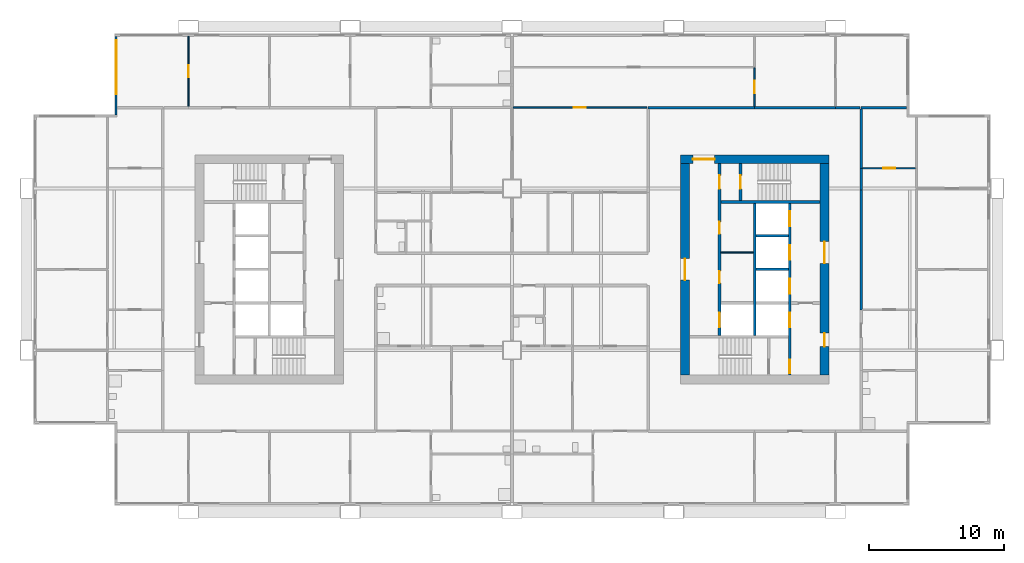
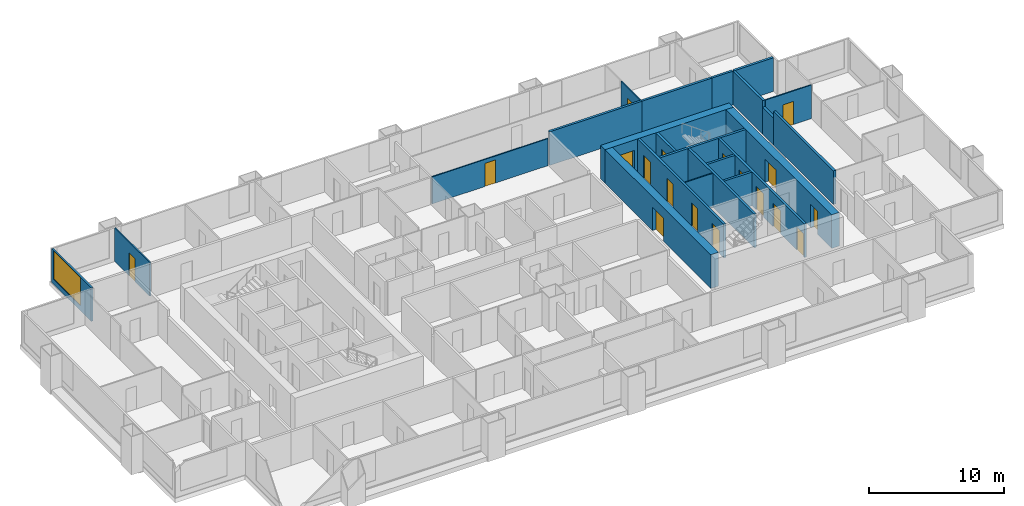
# One storey, part 7 of 11: 23 walls, 18 doors, 1 window, 19 openings.
"""IFC4 building model written with IfcOpenShell, lengths in metres."""

from ifc_helpers import new_model, si_unit, direction, frame, frame_2d, origin, place, context, subcontext, project, spatial, rectangle, extrude, material, layer, layer_set, type_object, element, fill, save


model = new_model("IFC4")

# Units and contexts
model_context = context("Model", 3, precision=1e-05, world=origin(), true_north=direction((0.0, 1.0)))
body_context = subcontext(model_context, "Body", "Model", "MODEL_VIEW")
ifc_project = project(units=[si_unit("LENGTHUNIT", "METRE"), si_unit("AREAUNIT", "SQUARE_METRE"), si_unit("VOLUMEUNIT", "CUBIC_METRE"), si_unit("PLANEANGLEUNIT", "RADIAN"), si_unit("MASSUNIT", "GRAM", prefix="KILO")], contexts=[model_context])

# Site, building, storey
site_placement = place(None, origin())
site = spatial("IfcSite", under=ifc_project, at=site_placement, CompositionType="ELEMENT")
building_placement = place(site_placement, origin())
building = spatial("IfcBuilding", under=site, at=building_placement, Name="Kitamizu Gate Tower and Museum", CompositionType="ELEMENT")
storey_placement = place(building_placement, frame((0.0, 0.0, 100.050048828125)))
storey = spatial("IfcBuildingStorey", under=building, at=storey_placement, Name="L25", CompositionType="ELEMENT", Elevation=100.050048828125)

# Wall, opening, door
ifc_material_1 = material(Name="Concrete Fc60", Category="concrete")
ifc_layer_1 = layer(ifc_material_1, 0.64990234375)
ifc_layer_set_1 = layer_set([ifc_layer_1], Name="Concrete Fc60")
wall_type_1 = type_object("IfcWallType", Name="Core wall 650", PredefinedType="SHEAR", material=ifc_layer_set_1)
wall_1_placement = place(storey_placement, frame((59.5, 38.175048828125, 0.0), z_axis=(0.0, 0.0, 1.0), x_axis=(-1.0, 0.0, 0.0)))
wall_1 = element("IfcWall", 1, at=wall_1_placement, inside=storey, type_object=wall_type_1, Name="Core wall EN", PredefinedType="SHEAR", context=body_context, shape_type="SweptSolid", body=[
    extrude(rectangle(XDim=11.0, YDim=0.64990234375, at=frame_2d((5.5, 0.0))), origin(), (0.0, 0.0, 1.0), 3.050048828125),
])
opening_1_placement = place(wall_1_placement, frame((8.47509765625, 0.0, 0.0)))
opening_1 = element("IfcOpeningElement", 2, at=opening_1_placement, cuts=wall_1, Name="Opening L25-074", PredefinedType="OPENING", context=body_context, shape_type="SweptSolid", body=[
    extrude(rectangle(XDim=1.60009765625, YDim=2.10009765625, at=frame_2d((0.800048828125, 1.050048828125))), frame((0.0, 0.3349609375, 0.0), z_axis=(0.0, -1.0, 0.0), x_axis=(1.0, 0.0, 0.0)), (0.0, 0.0, 1.0), 0.669921875),
])
ifc_material_2 = material(Name="Timber door set", Category="wood")
door_type_1 = type_object("IfcDoorType", Name="Entrance door 1600", OperationType="DOUBLE_DOOR_SINGLE_SWING", PredefinedType="DOOR", material=ifc_material_2)
door_1_placement = place(opening_1_placement, origin())
door_1 = element("IfcDoor", 3, at=door_1_placement, inside=storey, type_object=door_type_1, Name="Lobby door L25-074", OperationType="DOUBLE_DOOR_SINGLE_SWING", OverallHeight=2.10009765625, OverallWidth=1.60009765625, PredefinedType="DOOR", context=body_context, shape_type="SweptSolid", body=[
    extrude(rectangle(XDim=1.60009765625, YDim=2.10009765625, at=frame_2d((0.800048828125, 1.050048828125))), frame((0.0, 0.02490234375, 0.0), z_axis=(0.0, -1.0, 0.0), x_axis=(1.0, 0.0, 0.0)), (0.0, 0.0, 1.0), 0.050048828125),
])
fill(opening_1, door_1)

# Wall, openings, doors
wall_2_placement = place(storey_placement, frame((59.175048828125, 22.14990234375, 0.0), z_axis=(0.0, 0.0, 1.0), x_axis=(0.0, 1.0, 0.0)))
wall_2 = element("IfcWall", 4, at=wall_2_placement, inside=storey, type_object=wall_type_1, Name="Core wall EOUT", PredefinedType="SHEAR", context=body_context, shape_type="SweptSolid", body=[
    extrude(rectangle(XDim=15.7001953125, YDim=0.64990234375, at=frame_2d((7.85009765625, 0.0))), origin(), (0.0, 0.0, 1.0), 3.050048828125),
])
opening_2_placement = place(wall_2_placement, frame((8.300048828125, 0.0, 0.0)))
opening_2 = element("IfcOpeningElement", 5, at=opening_2_placement, cuts=wall_2, Name="Opening L25-072", PredefinedType="OPENING", context=body_context, shape_type="SweptSolid", body=[
    extrude(rectangle(XDim=1.60009765625, YDim=2.10009765625, at=frame_2d((0.800048828125, 1.050048828125))), frame((0.0, 0.3349609375, 0.0), z_axis=(0.0, -1.0, 0.0), x_axis=(1.0, 0.0, 0.0)), (0.0, 0.0, 1.0), 0.669921875),
])
opening_3_placement = place(wall_2_placement, frame((2.125, 0.0, 0.0)))
opening_3 = element("IfcOpeningElement", 6, at=opening_3_placement, cuts=wall_2, Name="Opening L25-073", PredefinedType="OPENING", context=body_context, shape_type="SweptSolid", body=[
    extrude(rectangle(XDim=1.0, YDim=2.10009765625, at=frame_2d((0.5, 1.050048828125))), frame((0.0, 0.3349609375, 0.0), z_axis=(0.0, -1.0, 0.0), x_axis=(1.0, 0.0, 0.0)), (0.0, 0.0, 1.0), 0.669921875),
])
door_2_placement = place(opening_2_placement, origin())
door_2 = element("IfcDoor", 7, at=door_2_placement, inside=storey, type_object=door_type_1, Name="Lobby door L25-072", OperationType="DOUBLE_DOOR_SINGLE_SWING", OverallHeight=2.10009765625, OverallWidth=1.60009765625, PredefinedType="DOOR", context=body_context, shape_type="SweptSolid", body=[
    extrude(rectangle(XDim=1.60009765625, YDim=2.10009765625, at=frame_2d((0.800048828125, 1.050048828125))), frame((0.0, 0.02490234375, 0.0), z_axis=(0.0, -1.0, 0.0), x_axis=(1.0, 0.0, 0.0)), (0.0, 0.0, 1.0), 0.050048828125),
])
fill(opening_2, door_2)
ifc_material_3 = material(Name="Hollow metal door set")
door_type_2 = type_object("IfcDoorType", Name="Fire door 1000", OperationType="NOTDEFINED", PredefinedType="DOOR", material=ifc_material_3)
door_3_placement = place(opening_3_placement, origin())
door_3 = element("IfcDoor", 8, at=door_3_placement, inside=storey, type_object=door_type_2, Name="Fire-fighting lobby door L25-073", OperationType="SINGLE_SWING_LEFT", OverallHeight=2.10009765625, OverallWidth=1.0, PredefinedType="DOOR", context=body_context, shape_type="SweptSolid", body=[
    extrude(rectangle(XDim=1.0, YDim=2.10009765625, at=frame_2d((0.5, 1.050048828125))), frame((0.0, 0.02490234375, 0.0), z_axis=(0.0, -1.0, 0.0), x_axis=(1.0, 0.0, 0.0)), (0.0, 0.0, 1.0), 0.050048828125),
])
fill(opening_3, door_3)

# Wall, opening, door
wall_3_placement = place(storey_placement, frame((48.824951171875, 22.14990234375, 0.0), z_axis=(0.0, 0.0, 1.0), x_axis=(0.0, 1.0, 0.0)))
wall_3 = element("IfcWall", 9, at=wall_3_placement, inside=storey, type_object=wall_type_1, Name="Core wall EARC", PredefinedType="SHEAR", context=body_context, shape_type="SweptSolid", body=[
    extrude(rectangle(XDim=15.7001953125, YDim=0.64990234375, at=frame_2d((7.85009765625, 0.0))), origin(), (0.0, 0.0, 1.0), 3.050048828125),
])
opening_4_placement = place(wall_3_placement, frame((7.050048828125, 0.0, 0.0)))
opening_4 = element("IfcOpeningElement", 10, at=opening_4_placement, cuts=wall_3, Name="Opening L25-075", PredefinedType="OPENING", context=body_context, shape_type="SweptSolid", body=[
    extrude(rectangle(XDim=1.60009765625, YDim=2.10009765625, at=frame_2d((0.800048828125, 1.050048828125))), frame((0.0, 0.3349609375, 0.0), z_axis=(0.0, -1.0, 0.0), x_axis=(1.0, 0.0, 0.0)), (0.0, 0.0, 1.0), 0.669921875),
])
door_4_placement = place(opening_4_placement, origin())
door_4 = element("IfcDoor", 11, at=door_4_placement, inside=storey, type_object=door_type_1, Name="Lobby door L25-075", OperationType="DOUBLE_DOOR_SINGLE_SWING", OverallHeight=2.10009765625, OverallWidth=1.60009765625, PredefinedType="DOOR", context=body_context, shape_type="SweptSolid", body=[
    extrude(rectangle(XDim=1.60009765625, YDim=2.10009765625, at=frame_2d((0.800048828125, 1.050048828125))), frame((0.0, 0.02490234375, 0.0), z_axis=(0.0, -1.0, 0.0), x_axis=(1.0, 0.0, 0.0)), (0.0, 0.0, 1.0), 0.050048828125),
])
fill(opening_4, door_4)

# Wall
ifc_material_4 = material(Name="Gypsum board on galvanised stud")
ifc_layer_2 = layer(ifc_material_4, 0.10009765625)
ifc_layer_set_2 = layer_set([ifc_layer_2], Name="Gypsum board on galvanised stud")
wall_type_2 = type_object("IfcWallType", Name="Partition 100", PredefinedType="PARTITIONING", material=ifc_layer_set_2)
wall_4_placement = place(storey_placement, frame((53.89990234375, 31.25, 0.0), z_axis=(0.0, 0.0, 1.0), x_axis=(-1.0, 0.0, 0.0)))
element("IfcWall", 12, at=wall_4_placement, inside=storey, type_object=wall_type_2, Name="Partition EPF1", PredefinedType="PARTITIONING", context=body_context, shape_type="SweptSolid", body=[
    extrude(rectangle(XDim=2.39990234375, YDim=0.10009765625, at=frame_2d((1.199951171875, 0.0))), origin(), (0.0, 0.0, 1.0), 3.050048828125),
])

# Wall, opening, door
ifc_material_5 = material(Name="Gypsum board on galvanised stud")
ifc_layer_3 = layer(ifc_material_5, 0.10009765625)
ifc_layer_set_3 = layer_set([ifc_layer_3], Name="Gypsum board on galvanised stud")
wall_type_3 = type_object("IfcWallType", Name="Partition 100 NOT RATED", PredefinedType="PARTITIONING", material=ifc_layer_set_3)
wall_5_placement = place(storey_placement, frame((65.949951171875, 37.5, 0.0), z_axis=(0.0, 0.0, 1.0), x_axis=(-1.0, 0.0, 0.0)))
wall_5 = element("IfcWall", 13, at=wall_5_placement, inside=storey, type_object=wall_type_3, Name="Partition L25-088", PredefinedType="PARTITIONING", context=body_context, shape_type="SweptSolid", body=[
    extrude(rectangle(XDim=3.949951171875, YDim=0.10009765625, at=frame_2d((1.97509765625, 0.0))), origin(), (0.0, 0.0, 1.0), 3.050048828125),
])
opening_5_placement = place(wall_5_placement, frame((1.52490234375, 0.0, 0.0)))
opening_5 = element("IfcOpeningElement", 14, at=opening_5_placement, cuts=wall_5, Name="Opening L25-035", PredefinedType="OPENING", context=body_context, shape_type="SweptSolid", body=[
    extrude(rectangle(XDim=0.89990234375, YDim=2.10009765625, at=frame_2d((0.449951171875, 1.050048828125))), frame((0.0, 0.06005859375, 0.0), z_axis=(0.0, -1.0, 0.0), x_axis=(1.0, 0.0, 0.0)), (0.0, 0.0, 1.0), 0.1201171875),
])
ifc_material_6 = material(Name="Timber door set", Category="wood")
door_type_3 = type_object("IfcDoorType", Name="Room door 900", OperationType="NOTDEFINED", PredefinedType="DOOR", material=ifc_material_6)
door_5_placement = place(opening_5_placement, frame((0.89990234375, 0.0, 0.0), x_axis=(-1.0, 0.0, 0.0)))
door_5 = element("IfcDoor", 15, at=door_5_placement, inside=storey, type_object=door_type_3, Name="Door L25-035", OperationType="SINGLE_SWING_RIGHT", OverallHeight=2.10009765625, OverallWidth=0.89990234375, PredefinedType="DOOR", context=body_context, shape_type="SweptSolid", body=[
    extrude(rectangle(XDim=0.89990234375, YDim=2.10009765625, at=frame_2d((0.449951171875, 1.050048828125))), frame((0.0, 0.02490234375, 0.0), z_axis=(0.0, -1.0, 0.0), x_axis=(1.0, 0.0, 0.0)), (0.0, 0.0, 1.0), 0.050048828125),
])
fill(opening_5, door_5)

wall_6_placement = place(storey_placement, frame((12.0, 42.10009765625, 0.0), z_axis=(0.0, 0.0, 1.0), x_axis=(0.0, 1.0, 0.0)))
wall_6 = element("IfcWall", 16, at=wall_6_placement, inside=storey, type_object=wall_type_3, Name="Partition L25-093", PredefinedType="PARTITIONING", context=body_context, shape_type="SweptSolid", body=[
    extrude(rectangle(XDim=5.179931640625, YDim=0.10009765625, at=frame_2d((2.58984375, 0.0))), origin(), (0.0, 0.0, 1.0), 3.050048828125),
])
opening_6_placement = place(wall_6_placement, frame((2.139892578125, 0.0, 0.0)))
opening_6 = element("IfcOpeningElement", 17, at=opening_6_placement, cuts=wall_6, Name="Opening L25-037", PredefinedType="OPENING", context=body_context, shape_type="SweptSolid", body=[
    extrude(rectangle(XDim=0.89990234375, YDim=2.10009765625, at=frame_2d((0.449951171875, 1.050048828125))), frame((0.0, 0.06005859375, 0.0), z_axis=(0.0, -1.0, 0.0), x_axis=(1.0, 0.0, 0.0)), (0.0, 0.0, 1.0), 0.1201171875),
])
door_6_placement = place(opening_6_placement, origin())
door_6 = element("IfcDoor", 18, at=door_6_placement, inside=storey, type_object=door_type_3, Name="Door L25-037", OperationType="SINGLE_SWING_LEFT", OverallHeight=2.10009765625, OverallWidth=0.89990234375, PredefinedType="DOOR", context=body_context, shape_type="SweptSolid", body=[
    extrude(rectangle(XDim=0.89990234375, YDim=2.10009765625, at=frame_2d((0.449951171875, 1.050048828125))), frame((0.0, 0.02490234375, 0.0), z_axis=(0.0, -1.0, 0.0), x_axis=(1.0, 0.0, 0.0)), (0.0, 0.0, 1.0), 0.050048828125),
])
fill(opening_6, door_6)

wall_7_placement = place(storey_placement, frame((54.0, 42.10009765625, 0.0), z_axis=(0.0, 0.0, 1.0), x_axis=(0.0, 1.0, 0.0)))
wall_7 = element("IfcWall", 19, at=wall_7_placement, inside=storey, type_object=wall_type_3, Name="Partition L25-110", PredefinedType="PARTITIONING", context=body_context, shape_type="SweptSolid", body=[
    extrude(rectangle(XDim=2.849853515625, YDim=0.10009765625, at=frame_2d((1.4248046875, 0.0))), origin(), (0.0, 0.0, 1.0), 3.050048828125),
])
opening_7_placement = place(wall_7_placement, frame((0.97509765625, 0.0, 0.0)))
opening_7 = element("IfcOpeningElement", 20, at=opening_7_placement, cuts=wall_7, Name="Opening L25-052", PredefinedType="OPENING", context=body_context, shape_type="SweptSolid", body=[
    extrude(rectangle(XDim=0.89990234375, YDim=2.10009765625, at=frame_2d((0.449951171875, 1.050048828125))), frame((0.0, 0.06005859375, 0.0), z_axis=(0.0, -1.0, 0.0), x_axis=(1.0, 0.0, 0.0)), (0.0, 0.0, 1.0), 0.1201171875),
])
door_7_placement = place(opening_7_placement, frame((0.89990234375, 0.0, 0.0), x_axis=(-1.0, 0.0, 0.0)))
door_7 = element("IfcDoor", 21, at=door_7_placement, inside=storey, type_object=door_type_3, Name="Door L25-052", OperationType="SINGLE_SWING_LEFT", OverallHeight=2.10009765625, OverallWidth=0.89990234375, PredefinedType="DOOR", context=body_context, shape_type="SweptSolid", body=[
    extrude(rectangle(XDim=0.89990234375, YDim=2.10009765625, at=frame_2d((0.449951171875, 1.050048828125))), frame((0.0, 0.02490234375, 0.0), z_axis=(0.0, -1.0, 0.0), x_axis=(1.0, 0.0, 0.0)), (0.0, 0.0, 1.0), 0.050048828125),
])
fill(opening_7, door_7)

wall_8_placement = place(storey_placement, frame((36.074951171875, 42.0, 0.0), z_axis=(0.0, 0.0, 1.0), x_axis=(1.0, 0.0, 0.0)))
wall_8 = element("IfcWall", 22, at=wall_8_placement, inside=storey, type_object=wall_type_3, Name="Partition L25-111", PredefinedType="PARTITIONING", context=body_context, shape_type="SweptSolid", body=[
    extrude(rectangle(XDim=9.925048828125, YDim=0.10009765625, at=frame_2d((4.96240234375, 0.0))), origin(), (0.0, 0.0, 1.0), 2.449951171875),
])
opening_8_placement = place(wall_8_placement, frame((4.512451171875, 0.0, 0.0)))
opening_8 = element("IfcOpeningElement", 23, at=opening_8_placement, cuts=wall_8, Name="Opening L25-050", PredefinedType="OPENING", context=body_context, shape_type="SweptSolid", body=[
    extrude(rectangle(XDim=0.89990234375, YDim=2.10009765625, at=frame_2d((0.449951171875, 1.050048828125))), frame((0.0, 0.06005859375, 0.0), z_axis=(0.0, -1.0, 0.0), x_axis=(1.0, 0.0, 0.0)), (0.0, 0.0, 1.0), 0.1201171875),
])
door_8_placement = place(opening_8_placement, origin())
door_8 = element("IfcDoor", 24, at=door_8_placement, inside=storey, type_object=door_type_3, Name="Door L25-050", OperationType="SINGLE_SWING_LEFT", OverallHeight=2.10009765625, OverallWidth=0.89990234375, PredefinedType="DOOR", context=body_context, shape_type="SweptSolid", body=[
    extrude(rectangle(XDim=0.89990234375, YDim=2.10009765625, at=frame_2d((0.449951171875, 1.050048828125))), frame((0.0, 0.02490234375, 0.0), z_axis=(0.0, -1.0, 0.0), x_axis=(1.0, 0.0, 0.0)), (0.0, 0.0, 1.0), 0.050048828125),
])
fill(opening_8, door_8)

# Walls
ifc_material_7 = material(Name="Gypsum board on galvanised stud")
ifc_layer_4 = layer(ifc_material_7, 0.199951171875)
ifc_layer_set_4 = layer_set([ifc_layer_4], Name="Gypsum board on galvanised stud")
wall_type_4 = type_object("IfcWallType", Name="Partition 200", PredefinedType="PARTITIONING", material=ifc_layer_set_4)
wall_9_placement = place(storey_placement, frame((61.89990234375, 37.5, 0.0), z_axis=(0.0, 0.0, 1.0), x_axis=(0.0, -1.0, 0.0)))
element("IfcWall", 25, at=wall_9_placement, inside=storey, type_object=wall_type_4, Name="Partition L25-089", PredefinedType="PARTITIONING", context=body_context, shape_type="SweptSolid", body=[
    extrude(rectangle(XDim=1.60009765625, YDim=0.199951171875, at=frame_2d((0.800048828125, 0.0))), origin(), (0.0, 0.0, 1.0), 2.449951171875),
])
wall_10_placement = place(storey_placement, frame((61.89990234375, 35.89990234375, 0.0), z_axis=(0.0, 0.0, 1.0), x_axis=(0.0, -1.0, 0.0)))
element("IfcWall", 26, at=wall_10_placement, inside=storey, type_object=wall_type_4, Name="Partition L25-090", PredefinedType="PARTITIONING", context=body_context, shape_type="SweptSolid", body=[
    extrude(rectangle(XDim=8.89990234375, YDim=0.199951171875, at=frame_2d((4.449951171875, 0.0))), origin(), (0.0, 0.0, 1.0), 3.050048828125),
])
wall_11_placement = place(storey_placement, frame((65.280029296875, 42.0, 0.0), z_axis=(0.0, 0.0, 1.0), x_axis=(-1.0, 0.0, 0.0)))
element("IfcWall", 27, at=wall_11_placement, inside=storey, type_object=wall_type_4, Name="Partition L25-091", PredefinedType="PARTITIONING", context=body_context, shape_type="SweptSolid", body=[
    extrude(rectangle(XDim=3.380126953125, YDim=0.199951171875, at=frame_2d((1.68994140625, 0.0))), origin(), (0.0, 0.0, 1.0), 3.050048828125),
])
wall_12_placement = place(storey_placement, frame((61.89990234375, 41.89990234375, 0.0), z_axis=(0.0, 0.0, 1.0), x_axis=(0.0, -1.0, 0.0)))
element("IfcWall", 28, at=wall_12_placement, inside=storey, type_object=wall_type_4, Name="Partition L25-092", PredefinedType="PARTITIONING", context=body_context, shape_type="SweptSolid", body=[
    extrude(rectangle(XDim=4.39990234375, YDim=0.199951171875, at=frame_2d((2.199951171875, 0.0))), origin(), (0.0, 0.0, 1.0), 3.050048828125),
])
wall_13_placement = place(storey_placement, frame((46.10009765625, 42.0, 0.0), z_axis=(0.0, 0.0, 1.0), x_axis=(1.0, 0.0, 0.0)))
element("IfcWall", 29, at=wall_13_placement, inside=storey, type_object=wall_type_4, Name="Partition L25-112", PredefinedType="PARTITIONING", context=body_context, shape_type="SweptSolid", body=[
    extrude(rectangle(XDim=7.89990234375, YDim=0.199951171875, at=frame_2d((3.949951171875, 0.0))), origin(), (0.0, 0.0, 1.0), 3.050048828125),
])
wall_14_placement = place(storey_placement, frame((54.0, 42.0, 0.0), z_axis=(0.0, 0.0, 1.0), x_axis=(1.0, 0.0, 0.0)))
element("IfcWall", 30, at=wall_14_placement, inside=storey, type_object=wall_type_4, Name="Partition L25-115", PredefinedType="PARTITIONING", context=body_context, shape_type="SweptSolid", body=[
    extrude(rectangle(XDim=6.0, YDim=0.199951171875, at=frame_2d((3.0, 0.0))), origin(), (0.0, 0.0, 1.0), 3.050048828125),
])
wall_15_placement = place(storey_placement, frame((60.0, 42.0, 0.0), z_axis=(0.0, 0.0, 1.0), x_axis=(1.0, 0.0, 0.0)))
element("IfcWall", 31, at=wall_15_placement, inside=storey, type_object=wall_type_4, Name="Partition L25-116", PredefinedType="PARTITIONING", context=body_context, shape_type="SweptSolid", body=[
    extrude(rectangle(XDim=1.800048828125, YDim=0.199951171875, at=frame_2d((0.89990234375, 0.0))), origin(), (0.0, 0.0, 1.0), 3.050048828125),
])

# Wall, openings, doors
ifc_material_8 = material(Name="Concrete Fc42", Category="concrete")
ifc_layer_5 = layer(ifc_material_8, 0.199951171875)
ifc_layer_set_5 = layer_set([ifc_layer_5], Name="Concrete Fc42")
wall_type_5 = type_object("IfcWallType", Name="Shaft wall 200", PredefinedType="SOLIDWALL", material=ifc_layer_set_5)
wall_16_placement = place(storey_placement, frame((56.60009765625, 22.14990234375, 0.0), z_axis=(0.0, 0.0, 1.0), x_axis=(0.0, 1.0, 0.0)))
wall_16 = element("IfcWall", 32, at=wall_16_placement, inside=storey, type_object=wall_type_5, Name="Shaft wall EWEST", PredefinedType="SOLIDWALL", context=body_context, shape_type="SweptSolid", body=[
    extrude(rectangle(XDim=12.75, YDim=0.199951171875, at=frame_2d((6.375, 0.0))), origin(), (0.0, 0.0, 1.0), 3.050048828125),
])
opening_9_placement = place(wall_16_placement, frame((3.550048828125, 0.0, 0.0)))
opening_9 = element("IfcOpeningElement", 33, at=opening_9_placement, cuts=wall_16, Name="Opening LD", PredefinedType="OPENING", context=body_context, shape_type="SweptSolid", body=[
    extrude(rectangle(XDim=1.10009765625, YDim=2.10009765625, at=frame_2d((0.550048828125, 1.050048828125))), frame((0.0, 0.10986328125, 0.0), z_axis=(0.0, -1.0, 0.0), x_axis=(1.0, 0.0, 0.0)), (0.0, 0.0, 1.0), 0.219970703125),
])
opening_10_placement = place(wall_16_placement, frame((6.050048828125, 0.0, 0.0)))
opening_10 = element("IfcOpeningElement", 34, at=opening_10_placement, cuts=wall_16, Name="Opening LD", PredefinedType="OPENING", context=body_context, shape_type="SweptSolid", body=[
    extrude(rectangle(XDim=1.10009765625, YDim=2.10009765625, at=frame_2d((0.550048828125, 1.050048828125))), frame((0.0, 0.10986328125, 0.0), z_axis=(0.0, -1.0, 0.0), x_axis=(1.0, 0.0, 0.0)), (0.0, 0.0, 1.0), 0.219970703125),
])
opening_11_placement = place(wall_16_placement, frame((8.550048828125, 0.0, 0.0)))
opening_11 = element("IfcOpeningElement", 35, at=opening_11_placement, cuts=wall_16, Name="Opening LD", PredefinedType="OPENING", context=body_context, shape_type="SweptSolid", body=[
    extrude(rectangle(XDim=1.10009765625, YDim=2.10009765625, at=frame_2d((0.550048828125, 1.050048828125))), frame((0.0, 0.10986328125, 0.0), z_axis=(0.0, -1.0, 0.0), x_axis=(1.0, 0.0, 0.0)), (0.0, 0.0, 1.0), 0.219970703125),
])
opening_12_placement = place(wall_16_placement, frame((11.050048828125, 0.0, 0.0)))
opening_12 = element("IfcOpeningElement", 36, at=opening_12_placement, cuts=wall_16, Name="Opening LD", PredefinedType="OPENING", context=body_context, shape_type="SweptSolid", body=[
    extrude(rectangle(XDim=1.10009765625, YDim=2.10009765625, at=frame_2d((0.550048828125, 1.050048828125))), frame((0.0, 0.10986328125, 0.0), z_axis=(0.0, -1.0, 0.0), x_axis=(1.0, 0.0, 0.0)), (0.0, 0.0, 1.0), 0.219970703125),
])
opening_13_placement = place(wall_16_placement, frame((0.14990234375, 0.0, 0.0)))
opening_13 = element("IfcOpeningElement", 37, at=opening_13_placement, cuts=wall_16, Name="Opening L25-068", PredefinedType="OPENING", context=body_context, shape_type="SweptSolid", body=[
    extrude(rectangle(XDim=1.0, YDim=2.10009765625, at=frame_2d((0.5, 1.050048828125))), frame((0.0, 0.10986328125, 0.0), z_axis=(0.0, -1.0, 0.0), x_axis=(1.0, 0.0, 0.0)), (0.0, 0.0, 1.0), 0.219970703125),
])
door_9_placement = place(opening_13_placement, origin())
door_9 = element("IfcDoor", 38, at=door_9_placement, inside=storey, type_object=door_type_2, Name="Stair lobby door L25-068", OperationType="SINGLE_SWING_RIGHT", OverallHeight=2.10009765625, OverallWidth=1.0, PredefinedType="DOOR", context=body_context, shape_type="SweptSolid", body=[
    extrude(rectangle(XDim=1.0, YDim=2.10009765625, at=frame_2d((0.5, 1.050048828125))), frame((0.0, 0.02490234375, 0.0), z_axis=(0.0, -1.0, 0.0), x_axis=(1.0, 0.0, 0.0)), (0.0, 0.0, 1.0), 0.050048828125),
])
fill(opening_13, door_9)
ifc_material_9 = material(Name="Hollow metal door set")
door_type_4 = type_object("IfcDoorType", Name="Landing door 1100", OperationType="SLIDING_TO_LEFT", PredefinedType="DOOR", material=ifc_material_9)
door_10_placement = place(opening_9_placement, origin())
door_10 = element("IfcDoor", 39, at=door_10_placement, inside=storey, type_object=door_type_4, Name="Landing door EFF1", OperationType="SLIDING_TO_LEFT", OverallHeight=2.10009765625, OverallWidth=1.10009765625, PredefinedType="DOOR", context=body_context, shape_type="SweptSolid", body=[
    extrude(rectangle(XDim=1.10009765625, YDim=2.10009765625, at=frame_2d((0.550048828125, 1.050048828125))), frame((0.0, 0.02490234375, 0.0), z_axis=(0.0, -1.0, 0.0), x_axis=(1.0, 0.0, 0.0)), (0.0, 0.0, 1.0), 0.050048828125),
])
fill(opening_9, door_10)
door_11_placement = place(opening_10_placement, origin())
door_11 = element("IfcDoor", 40, at=door_11_placement, inside=storey, type_object=door_type_4, Name="Landing door EL1", OperationType="SLIDING_TO_LEFT", OverallHeight=2.10009765625, OverallWidth=1.10009765625, PredefinedType="DOOR", context=body_context, shape_type="SweptSolid", body=[
    extrude(rectangle(XDim=1.10009765625, YDim=2.10009765625, at=frame_2d((0.550048828125, 1.050048828125))), frame((0.0, 0.02490234375, 0.0), z_axis=(0.0, -1.0, 0.0), x_axis=(1.0, 0.0, 0.0)), (0.0, 0.0, 1.0), 0.050048828125),
])
fill(opening_10, door_11)
door_12_placement = place(opening_11_placement, origin())
door_12 = element("IfcDoor", 41, at=door_12_placement, inside=storey, type_object=door_type_4, Name="Landing door EL2", OperationType="SLIDING_TO_LEFT", OverallHeight=2.10009765625, OverallWidth=1.10009765625, PredefinedType="DOOR", context=body_context, shape_type="SweptSolid", body=[
    extrude(rectangle(XDim=1.10009765625, YDim=2.10009765625, at=frame_2d((0.550048828125, 1.050048828125))), frame((0.0, 0.02490234375, 0.0), z_axis=(0.0, -1.0, 0.0), x_axis=(1.0, 0.0, 0.0)), (0.0, 0.0, 1.0), 0.050048828125),
])
fill(opening_11, door_12)
door_13_placement = place(opening_12_placement, origin())
door_13 = element("IfcDoor", 42, at=door_13_placement, inside=storey, type_object=door_type_4, Name="Landing door EL3", OperationType="SLIDING_TO_LEFT", OverallHeight=2.10009765625, OverallWidth=1.10009765625, PredefinedType="DOOR", context=body_context, shape_type="SweptSolid", body=[
    extrude(rectangle(XDim=1.10009765625, YDim=2.10009765625, at=frame_2d((0.550048828125, 1.050048828125))), frame((0.0, 0.02490234375, 0.0), z_axis=(0.0, -1.0, 0.0), x_axis=(1.0, 0.0, 0.0)), (0.0, 0.0, 1.0), 0.050048828125),
])
fill(opening_12, door_13)

wall_17_placement = place(storey_placement, frame((51.39990234375, 25.10009765625, 0.0), z_axis=(0.0, 0.0, 1.0), x_axis=(0.0, 1.0, 0.0)))
wall_17 = element("IfcWall", 43, at=wall_17_placement, inside=storey, type_object=wall_type_5, Name="Shaft wall EEAST", PredefinedType="SOLIDWALL", context=body_context, shape_type="SweptSolid", body=[
    extrude(rectangle(XDim=12.75, YDim=0.199951171875, at=frame_2d((6.375, 0.0))), origin(), (0.0, 0.0, 1.0), 3.050048828125),
])
opening_14_placement = place(wall_17_placement, frame((0.60009765625, 0.0, 0.0)))
opening_14 = element("IfcOpeningElement", 44, at=opening_14_placement, cuts=wall_17, Name="Opening LD", PredefinedType="OPENING", context=body_context, shape_type="SweptSolid", body=[
    extrude(rectangle(XDim=1.10009765625, YDim=2.10009765625, at=frame_2d((0.550048828125, 1.050048828125))), frame((0.0, 0.10986328125, 0.0), z_axis=(0.0, -1.0, 0.0), x_axis=(1.0, 0.0, 0.0)), (0.0, 0.0, 1.0), 0.219970703125),
])
opening_15_placement = place(wall_17_placement, frame((10.875, 0.0, 0.0)))
opening_15 = element("IfcOpeningElement", 45, at=opening_15_placement, cuts=wall_17, Name="Opening L25-069", PredefinedType="OPENING", context=body_context, shape_type="SweptSolid", body=[
    extrude(rectangle(XDim=1.0, YDim=2.10009765625, at=frame_2d((0.5, 1.050048828125))), frame((0.0, 0.10986328125, 0.0), z_axis=(0.0, -1.0, 0.0), x_axis=(1.0, 0.0, 0.0)), (0.0, 0.0, 1.0), 0.219970703125),
])
opening_16_placement = place(wall_17_placement, frame((3.875, 0.0, 0.0)))
opening_16 = element("IfcOpeningElement", 46, at=opening_16_placement, cuts=wall_17, Name="Opening L25-076", PredefinedType="OPENING", context=body_context, shape_type="SweptSolid", body=[
    extrude(rectangle(XDim=0.89990234375, YDim=2.10009765625, at=frame_2d((0.449951171875, 1.050048828125))), frame((0.0, 0.10986328125, 0.0), z_axis=(0.0, -1.0, 0.0), x_axis=(1.0, 0.0, 0.0)), (0.0, 0.0, 1.0), 0.219970703125),
])
opening_17_placement = place(wall_17_placement, frame((7.52490234375, 0.0, 0.0)))
opening_17 = element("IfcOpeningElement", 47, at=opening_17_placement, cuts=wall_17, Name="Opening L25-077", PredefinedType="OPENING", context=body_context, shape_type="SweptSolid", body=[
    extrude(rectangle(XDim=0.89990234375, YDim=2.10009765625, at=frame_2d((0.449951171875, 1.050048828125))), frame((0.0, 0.10986328125, 0.0), z_axis=(0.0, -1.0, 0.0), x_axis=(1.0, 0.0, 0.0)), (0.0, 0.0, 1.0), 0.219970703125),
])
door_14_placement = place(opening_15_placement, frame((1.0, 0.0, 0.0), x_axis=(-1.0, 0.0, 0.0)))
door_14 = element("IfcDoor", 48, at=door_14_placement, inside=storey, type_object=door_type_2, Name="Stair lobby door L25-069", OperationType="SINGLE_SWING_LEFT", OverallHeight=2.10009765625, OverallWidth=1.0, PredefinedType="DOOR", context=body_context, shape_type="SweptSolid", body=[
    extrude(rectangle(XDim=1.0, YDim=2.10009765625, at=frame_2d((0.5, 1.050048828125))), frame((0.0, 0.02490234375, 0.0), z_axis=(0.0, -1.0, 0.0), x_axis=(1.0, 0.0, 0.0)), (0.0, 0.0, 1.0), 0.050048828125),
])
fill(opening_15, door_14)
door_15_placement = place(opening_14_placement, origin())
door_15 = element("IfcDoor", 49, at=door_15_placement, inside=storey, type_object=door_type_4, Name="Landing door ESV1", OperationType="SLIDING_TO_LEFT", OverallHeight=2.10009765625, OverallWidth=1.10009765625, PredefinedType="DOOR", context=body_context, shape_type="SweptSolid", body=[
    extrude(rectangle(XDim=1.10009765625, YDim=2.10009765625, at=frame_2d((0.550048828125, 1.050048828125))), frame((0.0, 0.02490234375, 0.0), z_axis=(0.0, -1.0, 0.0), x_axis=(1.0, 0.0, 0.0)), (0.0, 0.0, 1.0), 0.050048828125),
])
fill(opening_14, door_15)
ifc_material_10 = material(Name="Timber door set", Category="wood")
door_type_5 = type_object("IfcDoorType", Name="Service door 900", OperationType="NOTDEFINED", PredefinedType="DOOR", material=ifc_material_10)
door_16_placement = place(opening_16_placement, frame((0.89990234375, 0.0, 0.0), x_axis=(-1.0, 0.0, 0.0)))
door_16 = element("IfcDoor", 50, at=door_16_placement, inside=storey, type_object=door_type_5, Name="Service door L25-076", OperationType="SINGLE_SWING_LEFT", OverallHeight=2.10009765625, OverallWidth=0.89990234375, PredefinedType="DOOR", context=body_context, shape_type="SweptSolid", body=[
    extrude(rectangle(XDim=0.89990234375, YDim=2.10009765625, at=frame_2d((0.449951171875, 1.050048828125))), frame((0.0, 0.02490234375, 0.0), z_axis=(0.0, -1.0, 0.0), x_axis=(1.0, 0.0, 0.0)), (0.0, 0.0, 1.0), 0.050048828125),
])
fill(opening_16, door_16)
door_17_placement = place(opening_17_placement, frame((0.89990234375, 0.0, 0.0), x_axis=(-1.0, 0.0, 0.0)))
door_17 = element("IfcDoor", 51, at=door_17_placement, inside=storey, type_object=door_type_5, Name="Service door L25-077", OperationType="SINGLE_SWING_RIGHT", OverallHeight=2.10009765625, OverallWidth=0.89990234375, PredefinedType="DOOR", context=body_context, shape_type="SweptSolid", body=[
    extrude(rectangle(XDim=0.89990234375, YDim=2.10009765625, at=frame_2d((0.449951171875, 1.050048828125))), frame((0.0, 0.02490234375, 0.0), z_axis=(0.0, -1.0, 0.0), x_axis=(1.0, 0.0, 0.0)), (0.0, 0.0, 1.0), 0.050048828125),
])
fill(opening_17, door_17)

# Walls
wall_18_placement = place(storey_placement, frame((54.0, 25.10009765625, 0.0), z_axis=(0.0, 0.0, 1.0), x_axis=(0.0, 1.0, 0.0)))
element("IfcWall", 52, at=wall_18_placement, inside=storey, type_object=wall_type_5, Name="Shaft wall EMID", PredefinedType="SOLIDWALL", context=body_context, shape_type="SweptSolid", body=[
    extrude(rectangle(XDim=9.7998046875, YDim=0.199951171875, at=frame_2d((4.89990234375, 0.0))), origin(), (0.0, 0.0, 1.0), 3.050048828125),
])
wall_19_placement = place(storey_placement, frame((58.85009765625, 35.0, 0.0), z_axis=(0.0, 0.0, 1.0), x_axis=(-1.0, 0.0, 0.0)))
element("IfcWall", 53, at=wall_19_placement, inside=storey, type_object=wall_type_5, Name="Shaft wall ENB", PredefinedType="SOLIDWALL", context=body_context, shape_type="SweptSolid", body=[
    extrude(rectangle(XDim=7.35009765625, YDim=0.199951171875, at=frame_2d((3.675048828125, 0.0))), origin(), (0.0, 0.0, 1.0), 3.050048828125),
])

# Wall, opening, door
wall_20_placement = place(storey_placement, frame((52.949951171875, 35.10009765625, 0.0), z_axis=(0.0, 0.0, 1.0), x_axis=(0.0, 1.0, 0.0)))
wall_20 = element("IfcWall", 54, at=wall_20_placement, inside=storey, type_object=wall_type_5, Name="Shaft wall ENZ", PredefinedType="SOLIDWALL", context=body_context, shape_type="SweptSolid", body=[
    extrude(rectangle(XDim=2.75, YDim=0.199951171875, at=frame_2d((1.375, 0.0))), origin(), (0.0, 0.0, 1.0), 3.050048828125),
])
opening_18_placement = place(wall_20_placement, frame((0.875, 0.0, 0.0)))
opening_18 = element("IfcOpeningElement", 55, at=opening_18_placement, cuts=wall_20, Name="Opening L25-070", PredefinedType="OPENING", context=body_context, shape_type="SweptSolid", body=[
    extrude(rectangle(XDim=1.0, YDim=2.10009765625, at=frame_2d((0.5, 1.050048828125))), frame((0.0, 0.10986328125, 0.0), z_axis=(0.0, -1.0, 0.0), x_axis=(1.0, 0.0, 0.0)), (0.0, 0.0, 1.0), 0.219970703125),
])
door_18_placement = place(opening_18_placement, frame((1.0, 0.0, 0.0), x_axis=(-1.0, 0.0, 0.0)))
door_18 = element("IfcDoor", 56, at=door_18_placement, inside=storey, type_object=door_type_2, Name="Stair door L25-070", OperationType="SINGLE_SWING_RIGHT", OverallHeight=2.10009765625, OverallWidth=1.0, PredefinedType="DOOR", context=body_context, shape_type="SweptSolid", body=[
    extrude(rectangle(XDim=1.0, YDim=2.10009765625, at=frame_2d((0.5, 1.050048828125))), frame((0.0, 0.02490234375, 0.0), z_axis=(0.0, -1.0, 0.0), x_axis=(1.0, 0.0, 0.0)), (0.0, 0.0, 1.0), 0.050048828125),
])
fill(opening_18, door_18)

# Walls
for number, where, z_axis, x_axis, name in (
    (57, (56.5, 30.0, 0.0), (0.0, 0.0, 1.0), (-1.0, 0.0, 0.0), "Shaft wall EDVW1"),
    (58, (56.5, 32.5, 0.0), (0.0, 0.0, 1.0), (-1.0, 0.0, 0.0), "Shaft wall EDVW2"),
):
    element("IfcWall", number, at=place(storey_placement, frame(where, z_axis=z_axis, x_axis=x_axis)), inside=storey, type_object=wall_type_5, Name=name, PredefinedType="SOLIDWALL", context=body_context, shape_type="SweptSolid", body=[
        extrude(rectangle(XDim=2.39990234375, YDim=0.199951171875, at=frame_2d((1.199951171875, 0.0))), origin(), (0.0, 0.0, 1.0), 3.050048828125),
    ])

# Wall, opening, window
ifc_material_11 = material(Name="Bronze anodised aluminium frame with insulated spandrel and tinted glass", Category="aluminium")
ifc_layer_6 = layer(ifc_material_11, 0.14990234375)
ifc_layer_set_6 = layer_set([ifc_layer_6], Name="Bronze anodised aluminium frame with insulated spandrel and tinted glass")
wall_type_6 = type_object("IfcWallType", Name="WINDOW WALL 150 BRONZE FRAME EI 30", PredefinedType="ELEMENTEDWALL", material=ifc_layer_set_6)
wall_21_placement = place(storey_placement, frame((6.635009765625, 41.43994140625, 0.0), z_axis=(0.0, 0.0, 1.0), x_axis=(0.0, 1.0, 0.0)))
wall_21 = element("IfcWall", 59, at=wall_21_placement, inside=storey, type_object=wall_type_6, Name="Window wall west L25", PredefinedType="ELEMENTEDWALL", context=body_context, shape_type="SweptSolid", body=[
    extrude(rectangle(XDim=5.85009765625, YDim=0.14990234375, at=frame_2d((2.925048828125, 0.0))), origin(), (0.0, 0.0, 1.0), 3.050048828125),
])
opening_19_placement = place(wall_21_placement, frame((1.56005859375, 0.0, 0.449951171875)))
opening_19 = element("IfcOpeningElement", 60, at=opening_19_placement, cuts=wall_21, Name="Opening W16", PredefinedType="OPENING", context=body_context, shape_type="SweptSolid", body=[
    extrude(rectangle(XDim=4.0, YDim=2.550048828125, at=frame_2d((2.0, 1.27490234375))), frame((0.0, 0.0849609375, 0.0), z_axis=(0.0, -1.0, 0.0), x_axis=(1.0, 0.0, 0.0)), (0.0, 0.0, 1.0), 0.169921875),
])
ifc_material_12 = material(Name="Bronze anodised aluminium frame, tinted triple glazing", Category="aluminium")
window_type = type_object("IfcWindowType", Name="WINDOW 4000 x 2550 SILL 450", PartitioningType="SINGLE_PANEL", PredefinedType="WINDOW", material=ifc_material_12)
window_placement = place(opening_19_placement, origin())
window = element("IfcWindow", 61, at=window_placement, inside=storey, type_object=window_type, Name="Window W16 L25", OverallHeight=2.550048828125, OverallWidth=4.0, PartitioningType="SINGLE_PANEL", PredefinedType="WINDOW", context=body_context, shape_type="SweptSolid", body=[
    extrude(rectangle(XDim=4.0, YDim=2.550048828125, at=frame_2d((2.0, 1.27490234375))), frame((0.0, 0.030029296875, 0.0), z_axis=(0.0, -1.0, 0.0), x_axis=(1.0, 0.0, 0.0)), (0.0, 0.0, 1.0), 0.06005859375),
])
fill(opening_19, window)

save(model, "model.ifc")
